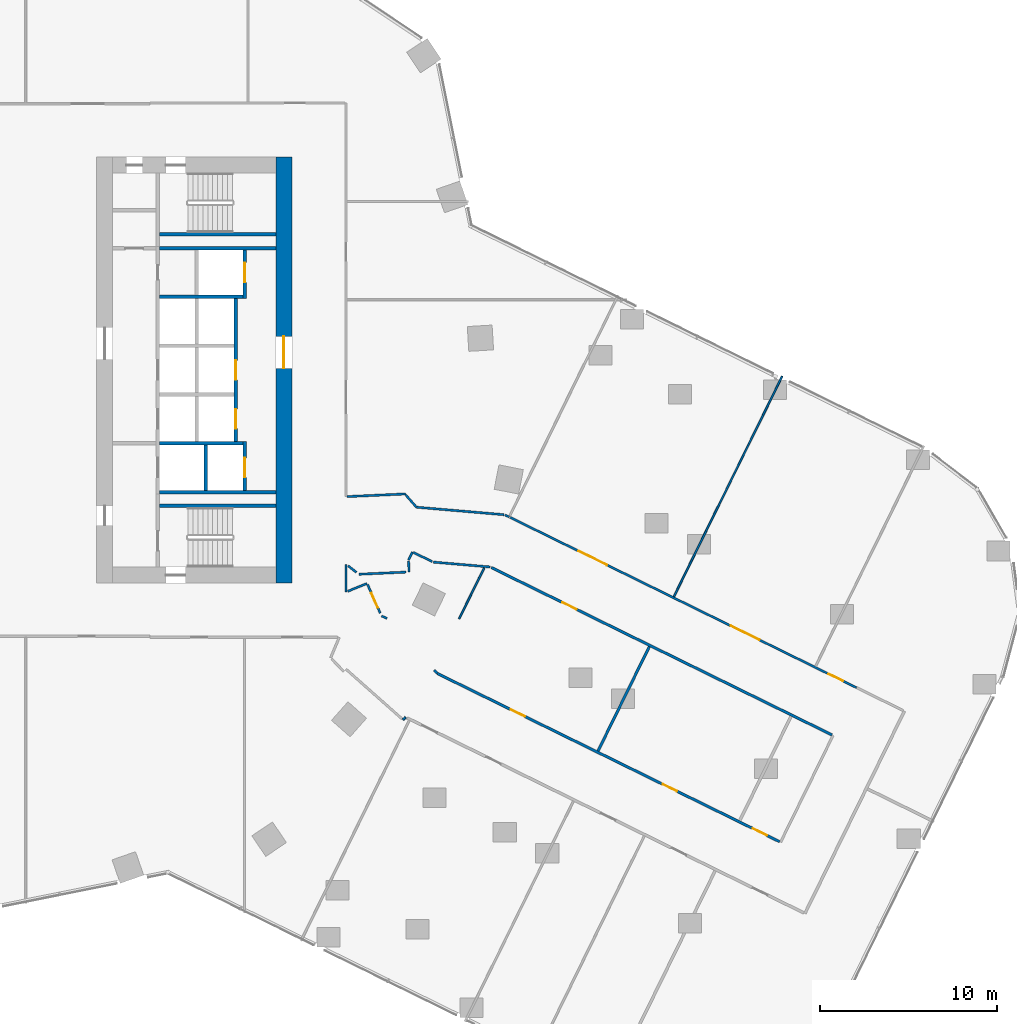
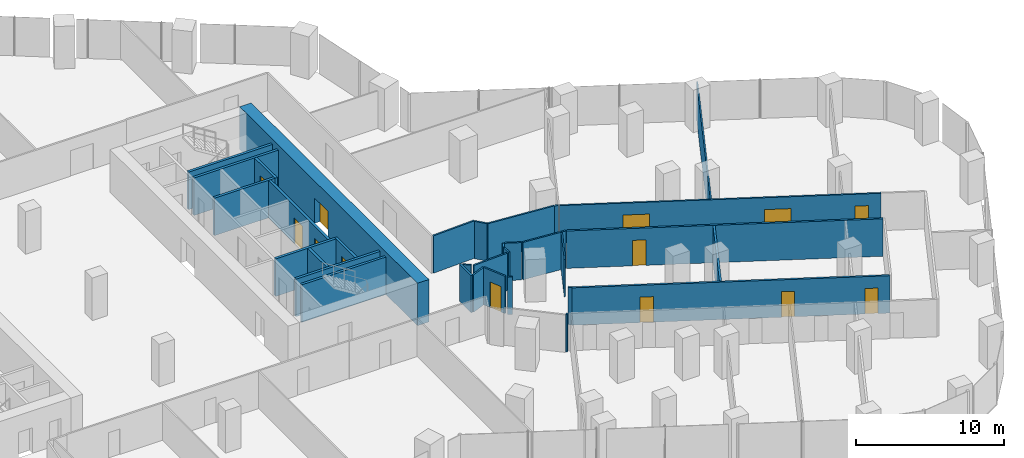
# One storey, part 30 of 38: 33 walls, 13 doors, 13 openings.
"""IFC4 building model written with IfcOpenShell, lengths in metres."""

from ifc_helpers import new_model, si_unit, direction, frame, frame_2d, origin, place, context, subcontext, project, spatial, rectangle, extrude, material, layer, layer_set, type_object, element, fill, save


model = new_model("IFC4")

# Units and contexts
model_context = context("Model", 3, precision=1e-05, world=origin(), true_north=direction((0.0, 1.0)))
body_context = subcontext(model_context, "Body", "Model", "MODEL_VIEW")
ifc_project = project(units=[si_unit("LENGTHUNIT", "METRE"), si_unit("AREAUNIT", "SQUARE_METRE"), si_unit("VOLUMEUNIT", "CUBIC_METRE"), si_unit("PLANEANGLEUNIT", "RADIAN"), si_unit("MASSUNIT", "GRAM", prefix="KILO")], contexts=[model_context])

# Site, building, storey
site_placement = place(None, origin())
site = spatial("IfcSite", under=ifc_project, at=site_placement, CompositionType="ELEMENT")
building_placement = place(site_placement, origin())
building = spatial("IfcBuilding", under=site, at=building_placement, Name="Orlundy Tower", CompositionType="ELEMENT")
storey_placement = place(building_placement, frame((0.0, 0.0, 62.300048828125)))
storey = spatial("IfcBuildingStorey", under=building, at=storey_placement, Name="L14", CompositionType="ELEMENT", Elevation=62.300048828125)

# Wall, opening, door
ifc_material_1 = material(Name="Concrete C80/95", Category="concrete")
ifc_layer_1 = layer(ifc_material_1, 0.89990234375)
ifc_layer_set_1 = layer_set([ifc_layer_1], Name="CORE WALL 900 C80/95")
wall_type_1 = type_object("IfcWallType", Name="CORE WALL 900 C80/95", PredefinedType="SHEAR", material=ifc_layer_set_1)
wall_1_placement = place(storey_placement, frame((18.550048828125, -12.0, 0.0), z_axis=(0.0, 0.0, 1.0), x_axis=(0.0, 1.0, 0.0)))
wall_1 = element("IfcWall", 1, at=wall_1_placement, inside=storey, type_object=wall_type_1, Name="Core wall E-E L14", PredefinedType="SHEAR", context=body_context, shape_type="SweptSolid", body=[
    extrude(rectangle(XDim=24.0, YDim=0.89990234375, at=frame_2d((12.0, 0.0))), origin(), (0.0, 0.0, 1.0), 3.5),
])
opening_1_placement = place(wall_1_placement, frame((12.10009765625, 0.0, 0.0)))
opening_1 = element("IfcOpeningElement", 2, at=opening_1_placement, cuts=wall_1, Name="Opening 13059", PredefinedType="OPENING", context=body_context, shape_type="SweptSolid", body=[
    extrude(rectangle(XDim=1.800048828125, YDim=2.10009765625, at=frame_2d((0.89990234375, 1.050048828125))), frame((0.0, 0.4599609375, 0.0), z_axis=(0.0, -1.0, 0.0), x_axis=(1.0, 0.0, 0.0)), (0.0, 0.0, 1.0), 0.919921875),
])
ifc_material_2 = material(Name="Timber door set", Category="wood")
door_type_1 = type_object("IfcDoorType", Name="Lobby Door 1800x2100", OperationType="DOUBLE_DOOR_DOUBLE_SWING", PredefinedType="DOOR", material=ifc_material_2)
door_1_placement = place(opening_1_placement, origin())
door_1 = element("IfcDoor", 3, at=door_1_placement, inside=storey, type_object=door_type_1, Name="Lift lobby door 13059", OperationType="SINGLE_SWING_RIGHT", OverallHeight=2.10009765625, OverallWidth=1.800048828125, PredefinedType="DOOR", context=body_context, shape_type="SweptSolid", body=[
    extrude(rectangle(XDim=1.800048828125, YDim=2.10009765625, at=frame_2d((0.89990234375, 1.050048828125))), frame((0.0, 0.02490234375, 0.0), z_axis=(0.0, -1.0, 0.0), x_axis=(1.0, 0.0, 0.0)), (0.0, 0.0, 1.0), 0.050048828125),
])
fill(opening_1, door_1)

# Walls
ifc_material_3 = material(Name="Gypsum board partition")
ifc_layer_2 = layer(ifc_material_3, 0.10009765625)
ifc_layer_set_2 = layer_set([ifc_layer_2], Name="Floor partition 100")
wall_type_2 = type_object("IfcWallType", Name="Floor partition 100", PredefinedType="PARTITIONING", material=ifc_layer_set_2)
wall_2_placement = place(storey_placement, frame((40.52392578125, -12.764892578125, 0.0), z_axis=(0.0, 0.0, 1.0), x_axis=(0.441020089077, 0.897497231768, 0.0)))
element("IfcWall", 4, at=wall_2_placement, inside=storey, type_object=wall_type_2, Name="wall-int-L14-073", PredefinedType="PARTITIONING", context=body_context, shape_type="SweptSolid", body=[
    extrude(rectangle(XDim=13.836181640625, YDim=0.10009765625, at=frame_2d((6.91796875, 0.0))), origin(), (0.0, 0.0, 1.0), 3.079833984375),
])
wall_3_placement = place(storey_placement, frame((28.426025390625, -14.014892578125, 0.0), z_axis=(0.0, 0.0, 1.0), x_axis=(0.441062549099, 0.897476366141, 0.0)))
element("IfcWall", 5, at=wall_3_placement, inside=storey, type_object=wall_type_2, Name="wall-int-L14-075", PredefinedType="PARTITIONING", context=body_context, shape_type="SweptSolid", body=[
    extrude(rectangle(XDim=3.196533203125, YDim=0.10009765625, at=frame_2d((1.59814453125, 0.0))), origin(), (0.0, 0.0, 1.0), 3.079833984375),
])
ifc_material_4 = material(Name="Gypsum board partition, double layer")
ifc_layer_3 = layer(ifc_material_4, 0.125)
ifc_layer_set_3 = layer_set([ifc_layer_3], Name="Floor partition 125")
wall_type_3 = type_object("IfcWallType", Name="Floor partition 125", PredefinedType="PARTITIONING", material=ifc_layer_set_3)
wall_4_placement = place(storey_placement, frame((25.4189453125, -7.0400390625, 0.0), z_axis=(0.0, 0.0, 1.0), x_axis=(0.659602225804, -0.751614863953, 0.0)))
element("IfcWall", 6, at=wall_4_placement, inside=storey, type_object=wall_type_3, Name="wall-int-L14-001", PredefinedType="PARTITIONING", context=body_context, shape_type="SweptSolid", body=[
    extrude(rectangle(XDim=0.912841796875, YDim=0.125, at=frame_2d((0.45654296875, 0.0))), origin(), (0.0, 0.0, 1.0), 3.079833984375),
])
wall_5_placement = place(storey_placement, frame((25.574951171875, -10.760986328125, 0.0), z_axis=(0.0, 0.0, 1.0), x_axis=(0.048925805308, -0.998802415683, 0.0)))
element("IfcWall", 7, at=wall_5_placement, inside=storey, type_object=wall_type_3, Name="wall-int-L14-002", PredefinedType="PARTITIONING", context=body_context, shape_type="SweptSolid", body=[
    extrude(rectangle(XDim=0.61376953125, YDim=0.125, at=frame_2d((0.306884765625, 0.0))), origin(), (0.0, 0.0, 1.0), 3.079833984375),
])

# Wall, opening, door
wall_6_placement = place(storey_placement, frame((23.260009765625, -12.075927734375, 0.0), z_axis=(0.0, 0.0, 1.0), x_axis=(0.40604891487, -0.913851343892, 0.0)))
wall_6 = element("IfcWall", 8, at=wall_6_placement, inside=storey, type_object=wall_type_3, Name="wall-int-L14-003", PredefinedType="PARTITIONING", context=body_context, shape_type="SweptSolid", body=[
    extrude(rectangle(XDim=1.770751953125, YDim=0.125, at=frame_2d((0.88525390625, 0.0))), origin(), (0.0, 0.0, 1.0), 3.079833984375),
])
opening_2_placement = place(wall_6_placement, frame((0.53759765625, 0.0, 0.0)))
opening_2 = element("IfcOpeningElement", 9, at=opening_2_placement, cuts=wall_6, Name="Opening 13132", PredefinedType="OPENING", context=body_context, shape_type="SweptSolid", body=[
    extrude(rectangle(XDim=0.89990234375, YDim=2.10009765625, at=frame_2d((0.449951171875, 1.050048828125))), frame((0.0, 0.072509765625, 0.0), z_axis=(0.0, -1.0, 0.0), x_axis=(1.0, 0.0, 0.0)), (0.0, 0.0, 1.0), 0.14501953125),
])
ifc_material_5 = material(Name="Timber door leaf", Category="wood")
door_type_2 = type_object("IfcDoorType", Name="Floor door single 900 FD30S", OperationType="NOTDEFINED", PredefinedType="DOOR", material=ifc_material_5)
door_2_placement = place(opening_2_placement, origin())
door_2 = element("IfcDoor", 10, at=door_2_placement, inside=storey, type_object=door_type_2, Name="Door 13132", OperationType="SINGLE_SWING_RIGHT", OverallHeight=2.10009765625, OverallWidth=0.89990234375, PredefinedType="DOOR", context=body_context, shape_type="SweptSolid", body=[
    extrude(rectangle(XDim=0.89990234375, YDim=2.10009765625, at=frame_2d((0.449951171875, 1.050048828125))), frame((0.0, 0.02490234375, 0.0), z_axis=(0.0, -1.0, 0.0), x_axis=(1.0, 0.0, 0.0)), (0.0, 0.0, 1.0), 0.050048828125),
])
fill(opening_2, door_2)

# Walls
wall_7_placement = place(storey_placement, frame((27.009033203125, -16.89892578125, 0.0), z_axis=(0.0, 0.0, 1.0), x_axis=(0.695952213436, -0.718088098087, 0.0)))
element("IfcWall", 11, at=wall_7_placement, inside=storey, type_object=wall_type_3, Name="wall-int-L14-005", PredefinedType="PARTITIONING", context=body_context, shape_type="SweptSolid", body=[
    extrude(rectangle(XDim=0.275634765625, YDim=0.125, at=frame_2d((0.1376953125, 0.0))), origin(), (0.0, 0.0, 1.0), 3.079833984375),
])
wall_8_placement = place(storey_placement, frame((22.1689453125, -11.028076171875, 0.0), z_axis=(0.0, 0.0, 1.0), x_axis=(0.78486193531, -0.619670672617, 0.0)))
element("IfcWall", 12, at=wall_8_placement, inside=storey, type_object=wall_type_3, Name="wall-int-L14-023", PredefinedType="PARTITIONING", context=body_context, shape_type="SweptSolid", body=[
    extrude(rectangle(XDim=0.60009765625, YDim=0.125, at=frame_2d((0.300048828125, 0.0))), origin(), (0.0, 0.0, 1.0), 3.079833984375),
])

# Wall, openings, doors
wall_9_placement = place(storey_placement, frame((31.291015625, -8.298095703125, 0.0), z_axis=(0.0, 0.0, 1.0), x_axis=(0.897505006542, -0.441004266683, 0.0)))
wall_9 = element("IfcWall", 13, at=wall_9_placement, inside=storey, type_object=wall_type_3, Name="wall-int-L14-028", PredefinedType="PARTITIONING", context=body_context, shape_type="SweptSolid", body=[
    extrude(rectangle(XDim=21.757080078125, YDim=0.125, at=frame_2d((10.87841796875, 0.0))), origin(), (0.0, 0.0, 1.0), 3.079833984375),
])
opening_3_placement = place(wall_9_placement, frame((4.300048828125, 0.0, 0.0)))
opening_3 = element("IfcOpeningElement", 14, at=opening_3_placement, cuts=wall_9, Name="Opening 13100", PredefinedType="OPENING", context=body_context, shape_type="SweptSolid", body=[
    extrude(rectangle(XDim=1.800048828125, YDim=2.10009765625, at=frame_2d((0.89990234375, 1.050048828125))), frame((0.0, 0.072509765625, 0.0), z_axis=(0.0, -1.0, 0.0), x_axis=(1.0, 0.0, 0.0)), (0.0, 0.0, 1.0), 0.14501953125),
])
opening_4_placement = place(wall_9_placement, frame((13.856201171875, 0.0, 0.0)))
opening_4 = element("IfcOpeningElement", 15, at=opening_4_placement, cuts=wall_9, Name="Opening 13101", PredefinedType="OPENING", context=body_context, shape_type="SweptSolid", body=[
    extrude(rectangle(XDim=1.800048828125, YDim=2.10009765625, at=frame_2d((0.89990234375, 1.050048828125))), frame((0.0, 0.072509765625, 0.0), z_axis=(0.0, -1.0, 0.0), x_axis=(1.0, 0.0, 0.0)), (0.0, 0.0, 1.0), 0.14501953125),
])
opening_5_placement = place(wall_9_placement, frame((20.006591796875, 0.0, 0.0)))
opening_5 = element("IfcOpeningElement", 16, at=opening_5_placement, cuts=wall_9, Name="Opening 13106", PredefinedType="OPENING", context=body_context, shape_type="SweptSolid", body=[
    extrude(rectangle(XDim=0.89990234375, YDim=2.10009765625, at=frame_2d((0.449951171875, 1.050048828125))), frame((0.0, 0.072509765625, 0.0), z_axis=(0.0, -1.0, 0.0), x_axis=(1.0, 0.0, 0.0)), (0.0, 0.0, 1.0), 0.14501953125),
])
ifc_material_6 = material(Name="Timber door leaf", Category="wood")
door_type_3 = type_object("IfcDoorType", Name="Floor door double 1800 FD30S", OperationType="NOTDEFINED", PredefinedType="DOOR", material=ifc_material_6)
door_3_placement = place(opening_3_placement, origin())
door_3 = element("IfcDoor", 17, at=door_3_placement, inside=storey, type_object=door_type_3, Name="Door 13100", OperationType="DOUBLE_DOOR_SINGLE_SWING", OverallHeight=2.10009765625, OverallWidth=1.800048828125, PredefinedType="DOOR", context=body_context, shape_type="SweptSolid", body=[
    extrude(rectangle(XDim=1.800048828125, YDim=2.10009765625, at=frame_2d((0.89990234375, 1.050048828125))), frame((0.0, 0.02490234375, 0.0), z_axis=(0.0, -1.0, 0.0), x_axis=(1.0, 0.0, 0.0)), (0.0, 0.0, 1.0), 0.050048828125),
])
fill(opening_3, door_3)
door_4_placement = place(opening_4_placement, origin())
door_4 = element("IfcDoor", 18, at=door_4_placement, inside=storey, type_object=door_type_3, Name="Door 13101", OperationType="DOUBLE_DOOR_SINGLE_SWING", OverallHeight=2.10009765625, OverallWidth=1.800048828125, PredefinedType="DOOR", context=body_context, shape_type="SweptSolid", body=[
    extrude(rectangle(XDim=1.800048828125, YDim=2.10009765625, at=frame_2d((0.89990234375, 1.050048828125))), frame((0.0, 0.02490234375, 0.0), z_axis=(0.0, -1.0, 0.0), x_axis=(1.0, 0.0, 0.0)), (0.0, 0.0, 1.0), 0.050048828125),
])
fill(opening_4, door_4)
door_5_placement = place(opening_5_placement, origin())
door_5 = element("IfcDoor", 19, at=door_5_placement, inside=storey, type_object=door_type_2, Name="Door 13106", OperationType="SINGLE_SWING_RIGHT", OverallHeight=2.10009765625, OverallWidth=0.89990234375, PredefinedType="DOOR", context=body_context, shape_type="SweptSolid", body=[
    extrude(rectangle(XDim=0.89990234375, YDim=2.10009765625, at=frame_2d((0.449951171875, 1.050048828125))), frame((0.0, 0.02490234375, 0.0), z_axis=(0.0, -1.0, 0.0), x_axis=(1.0, 0.0, 0.0)), (0.0, 0.0, 1.0), 0.050048828125),
])
fill(opening_5, door_5)

# Walls
wall_10_placement = place(storey_placement, frame((31.007080078125, -8.158935546875, 0.0), z_axis=(0.0, 0.0, 1.0), x_axis=(0.898247549427, -0.439489863305, 0.0)))
element("IfcWall", 20, at=wall_10_placement, inside=storey, type_object=wall_type_3, Name="wall-int-L14-030", PredefinedType="PARTITIONING", context=body_context, shape_type="SweptSolid", body=[
    extrude(rectangle(XDim=0.26611328125, YDim=0.125, at=frame_2d((0.133056640625, 0.0))), origin(), (0.0, 0.0, 1.0), 3.079833984375),
])
wall_11_placement = place(storey_placement, frame((24.048095703125, -13.85009765625, 0.0), z_axis=(0.0, 0.0, 1.0), x_axis=(0.900168222798, -0.43554238676, 0.0)))
element("IfcWall", 21, at=wall_11_placement, inside=storey, type_object=wall_type_3, Name="wall-int-L14-031", PredefinedType="PARTITIONING", context=body_context, shape_type="SweptSolid", body=[
    extrude(rectangle(XDim=0.34423828125, YDim=0.125, at=frame_2d((0.172119140625, 0.0))), origin(), (0.0, 0.0, 1.0), 3.079833984375),
])
wall_12_placement = place(storey_placement, frame((25.844970703125, -10.27587890625, 0.0), z_axis=(0.0, 0.0, 1.0), x_axis=(0.900044500098, -0.435798001193, 0.0)))
element("IfcWall", 22, at=wall_12_placement, inside=storey, type_object=wall_type_3, Name="wall-int-L14-032", PredefinedType="PARTITIONING", context=body_context, shape_type="SweptSolid", body=[
    extrude(rectangle(XDim=1.184326171875, YDim=0.125, at=frame_2d((0.59228515625, 0.0))), origin(), (0.0, 0.0, 1.0), 3.079833984375),
])
wall_13_placement = place(storey_placement, frame((26.967041015625, -10.819091796875, 0.0), z_axis=(0.0, 0.0, 1.0), x_axis=(0.99634849222, -0.085379634874, 0.0)))
element("IfcWall", 23, at=wall_13_placement, inside=storey, type_object=wall_type_3, Name="wall-int-L14-038", PredefinedType="PARTITIONING", context=body_context, shape_type="SweptSolid", body=[
    extrude(rectangle(XDim=3.2197265625, YDim=0.125, at=frame_2d((1.60986328125, 0.0))), origin(), (0.0, 0.0, 1.0), 3.079833984375),
])
wall_14_placement = place(storey_placement, frame((26.02099609375, -7.72607421875, 0.0), z_axis=(0.0, 0.0, 1.0), x_axis=(0.996349284826, -0.085370384947, 0.0)))
element("IfcWall", 24, at=wall_14_placement, inside=storey, type_object=wall_type_3, Name="wall-int-L14-039", PredefinedType="PARTITIONING", context=body_context, shape_type="SweptSolid", body=[
    extrude(rectangle(XDim=4.953125, YDim=0.125, at=frame_2d((2.4765625, 0.0))), origin(), (0.0, 0.0, 1.0), 3.079833984375),
])
wall_15_placement = place(storey_placement, frame((22.77099609375, -11.50390625, 0.0), z_axis=(0.0, 0.0, 1.0), x_axis=(0.998960167468, 0.045591488373, 0.0)))
element("IfcWall", 25, at=wall_15_placement, inside=storey, type_object=wall_type_3, Name="wall-int-L14-053", PredefinedType="PARTITIONING", context=body_context, shape_type="SweptSolid", body=[
    extrude(rectangle(XDim=2.650634765625, YDim=0.125, at=frame_2d((1.3251953125, 0.0))), origin(), (0.0, 0.0, 1.0), 3.079833984375),
])
wall_16_placement = place(storey_placement, frame((22.113037109375, -7.1279296875, 0.0), z_axis=(0.0, 0.0, 1.0), x_axis=(0.998972341729, 0.045323950183, 0.0)))
element("IfcWall", 26, at=wall_16_placement, inside=storey, type_object=wall_type_3, Name="wall-int-L14-054", PredefinedType="PARTITIONING", context=body_context, shape_type="SweptSolid", body=[
    extrude(rectangle(XDim=3.307373046875, YDim=0.125, at=frame_2d((1.65380859375, 0.0))), origin(), (0.0, 0.0, 1.0), 3.079833984375),
])
wall_17_placement = place(storey_placement, frame((22.14697265625, -12.462890625, 0.0), z_axis=(0.0, 0.0, 1.0), x_axis=(0.926466577122, 0.376377046956, 0.0)))
element("IfcWall", 27, at=wall_17_placement, inside=storey, type_object=wall_type_3, Name="wall-int-L14-055", PredefinedType="PARTITIONING", context=body_context, shape_type="SweptSolid", body=[
    extrude(rectangle(XDim=1.16357421875, YDim=0.125, at=frame_2d((0.581787109375, 0.0))), origin(), (0.0, 0.0, 1.0), 3.079833984375),
])
wall_18_placement = place(storey_placement, frame((25.258056640625, -19.697021484375, 0.0), z_axis=(0.0, 0.0, 1.0), x_axis=(0.752059641436, 0.659095058184, 0.0)))
element("IfcWall", 28, at=wall_18_placement, inside=storey, type_object=wall_type_3, Name="wall-int-L14-057", PredefinedType="PARTITIONING", context=body_context, shape_type="SweptSolid", body=[
    extrude(rectangle(XDim=0.204833984375, YDim=0.125, at=frame_2d((0.1025390625, 0.0))), origin(), (0.0, 0.0, 1.0), 3.079833984375),
])
wall_19_placement = place(storey_placement, frame((25.572021484375, -10.698974609375, 0.0), z_axis=(0.0, 0.0, 1.0), x_axis=(0.434462039315, 0.900690144497, 0.0)))
element("IfcWall", 29, at=wall_19_placement, inside=storey, type_object=wall_type_3, Name="wall-int-L14-078", PredefinedType="PARTITIONING", context=body_context, shape_type="SweptSolid", body=[
    extrude(rectangle(XDim=0.49951171875, YDim=0.125, at=frame_2d((0.249755859375, 0.0))), origin(), (0.0, 0.0, 1.0), 3.079833984375),
])
wall_20_placement = place(storey_placement, frame((22.051025390625, -12.5, 0.0), z_axis=(0.0, 0.0, 1.0), x_axis=(0.0, 1.0, 0.0)))
element("IfcWall", 30, at=wall_20_placement, inside=storey, type_object=wall_type_3, Name="wall-int-L14-086", PredefinedType="PARTITIONING", context=body_context, shape_type="SweptSolid", body=[
    extrude(rectangle(XDim=1.55810546875, YDim=0.125, at=frame_2d((0.779052734375, 0.0))), origin(), (0.0, 0.0, 1.0), 3.079833984375),
])

# Wall, openings, doors
ifc_material_7 = material(Name="Blockwork shaft wall", Category="masonry")
ifc_layer_4 = layer(ifc_material_7, 0.14990234375)
ifc_layer_set_4 = layer_set([ifc_layer_4], Name="Floor shaft wall 150")
wall_type_4 = type_object("IfcWallType", Name="Floor shaft wall 150", PredefinedType="PARTITIONING", material=ifc_layer_set_4)
wall_21_placement = place(storey_placement, frame((27.200927734375, -17.096923828125, 0.0), z_axis=(0.0, 0.0, 1.0), x_axis=(0.897485674031, -0.441043608853, 0.0)))
wall_21 = element("IfcWall", 31, at=wall_21_placement, inside=storey, type_object=wall_type_4, Name="wall-int-L14-025", PredefinedType="PARTITIONING", context=body_context, shape_type="SweptSolid", body=[
    extrude(rectangle(XDim=21.4833984375, YDim=0.14990234375, at=frame_2d((10.74169921875, 0.0))), origin(), (0.0, 0.0, 1.0), 3.079833984375),
])
opening_6_placement = place(wall_21_placement, frame((4.60009765625, 0.0, 0.0)))
opening_6 = element("IfcOpeningElement", 32, at=opening_6_placement, cuts=wall_21, Name="Opening 13102", PredefinedType="OPENING", context=body_context, shape_type="SweptSolid", body=[
    extrude(rectangle(XDim=0.89990234375, YDim=2.10009765625, at=frame_2d((0.449951171875, 1.050048828125))), frame((0.0, 0.0849609375, 0.0), z_axis=(0.0, -1.0, 0.0), x_axis=(1.0, 0.0, 0.0)), (0.0, 0.0, 1.0), 0.169921875),
])
opening_7_placement = place(wall_21_placement, frame((14.14697265625, 0.0, 0.0)))
opening_7 = element("IfcOpeningElement", 33, at=opening_7_placement, cuts=wall_21, Name="Opening 13104", PredefinedType="OPENING", context=body_context, shape_type="SweptSolid", body=[
    extrude(rectangle(XDim=0.89990234375, YDim=2.10009765625, at=frame_2d((0.449951171875, 1.050048828125))), frame((0.0, 0.0849609375, 0.0), z_axis=(0.0, -1.0, 0.0), x_axis=(1.0, 0.0, 0.0)), (0.0, 0.0, 1.0), 0.169921875),
])
opening_8_placement = place(wall_21_placement, frame((19.797119140625, 0.0, 0.0)))
opening_8 = element("IfcOpeningElement", 34, at=opening_8_placement, cuts=wall_21, Name="Opening 13105", PredefinedType="OPENING", context=body_context, shape_type="SweptSolid", body=[
    extrude(rectangle(XDim=0.89990234375, YDim=2.10009765625, at=frame_2d((0.449951171875, 1.050048828125))), frame((0.0, 0.0849609375, 0.0), z_axis=(0.0, -1.0, 0.0), x_axis=(1.0, 0.0, 0.0)), (0.0, 0.0, 1.0), 0.169921875),
])
ifc_material_8 = material(Name="Timber door leaf", Category="wood")
door_type_4 = type_object("IfcDoorType", Name="Floor door single 900 FD60", OperationType="NOTDEFINED", PredefinedType="DOOR", material=ifc_material_8)
door_6_placement = place(opening_6_placement, origin())
door_6 = element("IfcDoor", 35, at=door_6_placement, inside=storey, type_object=door_type_4, Name="Door 13102", OperationType="SINGLE_SWING_LEFT", OverallHeight=2.10009765625, OverallWidth=0.89990234375, PredefinedType="DOOR", context=body_context, shape_type="SweptSolid", body=[
    extrude(rectangle(XDim=0.89990234375, YDim=2.10009765625, at=frame_2d((0.449951171875, 1.050048828125))), frame((0.0, 0.02490234375, 0.0), z_axis=(0.0, -1.0, 0.0), x_axis=(1.0, 0.0, 0.0)), (0.0, 0.0, 1.0), 0.050048828125),
])
fill(opening_6, door_6)
door_7_placement = place(opening_7_placement, origin())
door_7 = element("IfcDoor", 36, at=door_7_placement, inside=storey, type_object=door_type_4, Name="Door 13104", OperationType="SINGLE_SWING_RIGHT", OverallHeight=2.10009765625, OverallWidth=0.89990234375, PredefinedType="DOOR", context=body_context, shape_type="SweptSolid", body=[
    extrude(rectangle(XDim=0.89990234375, YDim=2.10009765625, at=frame_2d((0.449951171875, 1.050048828125))), frame((0.0, 0.02490234375, 0.0), z_axis=(0.0, -1.0, 0.0), x_axis=(1.0, 0.0, 0.0)), (0.0, 0.0, 1.0), 0.050048828125),
])
fill(opening_7, door_7)
door_8_placement = place(opening_8_placement, origin())
door_8 = element("IfcDoor", 37, at=door_8_placement, inside=storey, type_object=door_type_4, Name="Door 13105", OperationType="SINGLE_SWING_RIGHT", OverallHeight=2.10009765625, OverallWidth=0.89990234375, PredefinedType="DOOR", context=body_context, shape_type="SweptSolid", body=[
    extrude(rectangle(XDim=0.89990234375, YDim=2.10009765625, at=frame_2d((0.449951171875, 1.050048828125))), frame((0.0, 0.02490234375, 0.0), z_axis=(0.0, -1.0, 0.0), x_axis=(1.0, 0.0, 0.0)), (0.0, 0.0, 1.0), 0.050048828125),
])
fill(opening_8, door_8)

# Wall, opening, door
wall_22_placement = place(storey_placement, frame((49.43798828125, -20.55908203125, 0.0), z_axis=(0.0, 0.0, 1.0), x_axis=(-0.897517730631, 0.440978370447, 0.0)))
wall_22 = element("IfcWall", 38, at=wall_22_placement, inside=storey, type_object=wall_type_4, Name="wall-int-L14-027", PredefinedType="PARTITIONING", context=body_context, shape_type="SweptSolid", body=[
    extrude(rectangle(XDim=21.400146484375, YDim=0.14990234375, at=frame_2d((10.7001953125, 0.0))), origin(), (0.0, 0.0, 1.0), 3.079833984375),
])
opening_9_placement = place(wall_22_placement, frame((16.037353515625, 0.0, 0.0)))
opening_9 = element("IfcOpeningElement", 39, at=opening_9_placement, cuts=wall_22, Name="Opening 13103", PredefinedType="OPENING", context=body_context, shape_type="SweptSolid", body=[
    extrude(rectangle(XDim=0.89990234375, YDim=2.10009765625, at=frame_2d((0.449951171875, 1.050048828125))), frame((0.0, 0.0849609375, 0.0), z_axis=(0.0, -1.0, 0.0), x_axis=(1.0, 0.0, 0.0)), (0.0, 0.0, 1.0), 0.169921875),
])
door_9_placement = place(opening_9_placement, origin())
door_9 = element("IfcDoor", 40, at=door_9_placement, inside=storey, type_object=door_type_4, Name="Door 13103", OperationType="SINGLE_SWING_RIGHT", OverallHeight=2.10009765625, OverallWidth=0.89990234375, PredefinedType="DOOR", context=body_context, shape_type="SweptSolid", body=[
    extrude(rectangle(XDim=0.89990234375, YDim=2.10009765625, at=frame_2d((0.449951171875, 1.050048828125))), frame((0.0, 0.02490234375, 0.0), z_axis=(0.0, -1.0, 0.0), x_axis=(1.0, 0.0, 0.0)), (0.0, 0.0, 1.0), 0.050048828125),
])
fill(opening_9, door_9)

# Walls
wall_23_placement = place(storey_placement, frame((36.2509765625, -21.4609375, 0.0), z_axis=(0.0, 0.0, 1.0), x_axis=(0.44103082672, 0.89749195533, 0.0)))
element("IfcWall", 41, at=wall_23_placement, inside=storey, type_object=wall_type_4, Name="wall-int-L14-072", PredefinedType="PARTITIONING", context=body_context, shape_type="SweptSolid", body=[
    extrude(rectangle(XDim=6.55029296875, YDim=0.14990234375, at=frame_2d((3.275146484375, 0.0))), origin(), (0.0, 0.0, 1.0), 3.079833984375),
])
ifc_material_9 = material(Name="Concrete C40/50", Category="concrete")
ifc_layer_5 = layer(ifc_material_9, 0.199951171875)
ifc_layer_set_5 = layer_set([ifc_layer_5], Name="Load-bearing Shaft Wall 200")
wall_type_5 = type_object("IfcWallType", Name="Load-bearing Shaft Wall 200", PredefinedType="SOLIDWALL", material=ifc_layer_set_5)
for number, where, z_axis, x_axis, name in (
    (42, (11.5400390625, -7.64990234375, 0.0), (0.0, 0.0, 1.0), (1.0, 0.0, 0.0), "Shaft wall E13-stair-side-n"),
    (43, (11.5400390625, 7.64990234375, 0.0), (0.0, 0.0, 1.0), (1.0, 0.0, 0.0), "Shaft wall E13-stair-side-s"),
):
    element("IfcWall", number, at=place(storey_placement, frame(where, z_axis=z_axis, x_axis=x_axis)), inside=storey, type_object=wall_type_5, Name=name, PredefinedType="SOLIDWALL", context=body_context, shape_type="SweptSolid", body=[
        extrude(rectangle(XDim=6.56005859375, YDim=0.199951171875, at=frame_2d((3.280029296875, 0.0))), origin(), (0.0, 0.0, 1.0), 3.08984375),
    ])
ifc_material_10 = material(Name="Fire-rated blockwork shaft wall", Category="masonry")
ifc_layer_6 = layer(ifc_material_10, 0.199951171875)
ifc_layer_set_6 = layer_set([ifc_layer_6], Name="Shaft Wall 200")
wall_type_6 = type_object("IfcWallType", Name="Shaft Wall 200", PredefinedType="SOLIDWALL", material=ifc_layer_set_6)
for number, where, z_axis, x_axis, name in (
    (44, (11.5400390625, -6.875, 0.0), (0.0, 0.0, 1.0), (1.0, 0.0, 0.0), "Shaft wall E13-zone-n"),
    (45, (11.5400390625, 6.875, 0.0), (0.0, 0.0, 1.0), (1.0, 0.0, 0.0), "Shaft wall E13-zone-s"),
):
    element("IfcWall", number, at=place(storey_placement, frame(where, z_axis=z_axis, x_axis=x_axis)), inside=storey, type_object=wall_type_6, Name=name, PredefinedType="SOLIDWALL", context=body_context, shape_type="SweptSolid", body=[
        extrude(rectangle(XDim=6.56005859375, YDim=0.199951171875, at=frame_2d((3.280029296875, 0.0))), origin(), (0.0, 0.0, 1.0), 3.08984375),
    ])
for number, where, z_axis, x_axis, name in (
    (46, (11.5400390625, 4.125, 0.0), (0.0, 0.0, 1.0), (1.0, 0.0, 0.0), "Shaft wall E13-cross-4.125"),
    (47, (11.5400390625, -4.125, 0.0), (0.0, 0.0, 1.0), (1.0, 0.0, 0.0), "Shaft wall E13-cross+4.125"),
):
    element("IfcWall", number, at=place(storey_placement, frame(where, z_axis=z_axis, x_axis=x_axis)), inside=storey, type_object=wall_type_6, Name=name, PredefinedType="SOLIDWALL", context=body_context, shape_type="SweptSolid", body=[
        extrude(rectangle(XDim=4.699951171875, YDim=0.199951171875, at=frame_2d((2.35009765625, 0.0))), origin(), (0.0, 0.0, 1.0), 3.08984375),
    ])
wall_24_placement = place(storey_placement, frame((14.139892578125, -4.22509765625, 0.0), z_axis=(0.0, 0.0, 1.0), x_axis=(0.0, -1.0, 0.0)))
element("IfcWall", 48, at=wall_24_placement, inside=storey, type_object=wall_type_6, Name="Shaft wall E13-mid-b", PredefinedType="SOLIDWALL", context=body_context, shape_type="SweptSolid", body=[
    extrude(rectangle(XDim=2.5498046875, YDim=0.199951171875, at=frame_2d((1.27490234375, 0.0))), origin(), (0.0, 0.0, 1.0), 3.08984375),
])

# Wall, opening, door
wall_25_placement = place(storey_placement, frame((16.340087890625, 6.77490234375, 0.0), z_axis=(0.0, 0.0, 1.0), x_axis=(0.0, -1.0, 0.0)))
wall_25 = element("IfcWall", 49, at=wall_25_placement, inside=storey, type_object=wall_type_6, Name="Shaft wall E13-front-o-a", PredefinedType="SOLIDWALL", context=body_context, shape_type="SweptSolid", body=[
    extrude(rectangle(XDim=2.75, YDim=0.199951171875, at=frame_2d((1.375, 0.0))), origin(), (0.0, 0.0, 1.0), 3.08984375),
])
opening_10_placement = place(wall_25_placement, frame((0.72509765625, 0.0, 0.0)))
opening_10 = element("IfcOpeningElement", 50, at=opening_10_placement, cuts=wall_25, Name="Opening 13050", PredefinedType="OPENING", context=body_context, shape_type="SweptSolid", body=[
    extrude(rectangle(XDim=1.10009765625, YDim=2.10009765625, at=frame_2d((0.550048828125, 1.050048828125))), frame((0.0, 0.110107421875, 0.0), z_axis=(0.0, -1.0, 0.0), x_axis=(1.0, 0.0, 0.0)), (0.0, 0.0, 1.0), 0.22021484375),
])
ifc_material_11 = material(Name="Steel door set", Category="steel")
door_type_5 = type_object("IfcDoorType", Name="Landing Door 1100x2100", OperationType="DOUBLE_DOOR_SLIDING", PredefinedType="DOOR", material=ifc_material_11)
door_10_placement = place(opening_10_placement, origin())
door_10 = element("IfcDoor", 51, at=door_10_placement, inside=storey, type_object=door_type_5, Name="Lift landing door LV-02 13050", OperationType="DOUBLE_DOOR_SLIDING", OverallHeight=2.10009765625, OverallWidth=1.10009765625, PredefinedType="DOOR", context=body_context, shape_type="SweptSolid", body=[
    extrude(rectangle(XDim=1.10009765625, YDim=2.10009765625, at=frame_2d((0.550048828125, 1.050048828125))), frame((0.0, 0.02490234375, 0.0), z_axis=(0.0, -1.0, 0.0), x_axis=(1.0, 0.0, 0.0)), (0.0, 0.0, 1.0), 0.050048828125),
])
fill(opening_10, door_10)

# Wall, openings, doors
wall_26_placement = place(storey_placement, frame((15.840087890625, 4.02490234375, 0.0), z_axis=(0.0, 0.0, 1.0), x_axis=(0.0, -1.0, 0.0)))
wall_26 = element("IfcWall", 52, at=wall_26_placement, inside=storey, type_object=wall_type_6, Name="Shaft wall E13-front-o-b", PredefinedType="SOLIDWALL", context=body_context, shape_type="SweptSolid", body=[
    extrude(rectangle(XDim=8.0498046875, YDim=0.199951171875, at=frame_2d((4.02490234375, 0.0))), origin(), (0.0, 0.0, 1.0), 3.08984375),
])
opening_11_placement = place(wall_26_placement, frame((3.47509765625, 0.0, 0.0)))
opening_11 = element("IfcOpeningElement", 53, at=opening_11_placement, cuts=wall_26, Name="Opening 13052", PredefinedType="OPENING", context=body_context, shape_type="SweptSolid", body=[
    extrude(rectangle(XDim=1.10009765625, YDim=2.10009765625, at=frame_2d((0.550048828125, 1.050048828125))), frame((0.0, 0.110107421875, 0.0), z_axis=(0.0, -1.0, 0.0), x_axis=(1.0, 0.0, 0.0)), (0.0, 0.0, 1.0), 0.22021484375),
])
opening_12_placement = place(wall_26_placement, frame((6.22509765625, 0.0, 0.0)))
opening_12 = element("IfcOpeningElement", 54, at=opening_12_placement, cuts=wall_26, Name="Opening 13054", PredefinedType="OPENING", context=body_context, shape_type="SweptSolid", body=[
    extrude(rectangle(XDim=1.10009765625, YDim=2.10009765625, at=frame_2d((0.550048828125, 1.050048828125))), frame((0.0, 0.110107421875, 0.0), z_axis=(0.0, -1.0, 0.0), x_axis=(1.0, 0.0, 0.0)), (0.0, 0.0, 1.0), 0.22021484375),
])
door_11_placement = place(opening_11_placement, origin())
door_11 = element("IfcDoor", 55, at=door_11_placement, inside=storey, type_object=door_type_5, Name="Lift landing door LP-06 13052", OperationType="DOUBLE_DOOR_SLIDING", OverallHeight=2.10009765625, OverallWidth=1.10009765625, PredefinedType="DOOR", context=body_context, shape_type="SweptSolid", body=[
    extrude(rectangle(XDim=1.10009765625, YDim=2.10009765625, at=frame_2d((0.550048828125, 1.050048828125))), frame((0.0, 0.02490234375, 0.0), z_axis=(0.0, -1.0, 0.0), x_axis=(1.0, 0.0, 0.0)), (0.0, 0.0, 1.0), 0.050048828125),
])
fill(opening_11, door_11)
door_12_placement = place(opening_12_placement, origin())
door_12 = element("IfcDoor", 56, at=door_12_placement, inside=storey, type_object=door_type_5, Name="Lift landing door LP-08 13054", OperationType="DOUBLE_DOOR_SLIDING", OverallHeight=2.10009765625, OverallWidth=1.10009765625, PredefinedType="DOOR", context=body_context, shape_type="SweptSolid", body=[
    extrude(rectangle(XDim=1.10009765625, YDim=2.10009765625, at=frame_2d((0.550048828125, 1.050048828125))), frame((0.0, 0.02490234375, 0.0), z_axis=(0.0, -1.0, 0.0), x_axis=(1.0, 0.0, 0.0)), (0.0, 0.0, 1.0), 0.050048828125),
])
fill(opening_12, door_12)

# Wall, opening, door
wall_27_placement = place(storey_placement, frame((16.340087890625, -4.02490234375, 0.0), z_axis=(0.0, 0.0, 1.0), x_axis=(0.0, -1.0, 0.0)))
wall_27 = element("IfcWall", 57, at=wall_27_placement, inside=storey, type_object=wall_type_6, Name="Shaft wall E13-front-o-c", PredefinedType="SOLIDWALL", context=body_context, shape_type="SweptSolid", body=[
    extrude(rectangle(XDim=2.75, YDim=0.199951171875, at=frame_2d((1.375, 0.0))), origin(), (0.0, 0.0, 1.0), 3.08984375),
])
opening_13_placement = place(wall_27_placement, frame((0.925048828125, 0.0, 0.0)))
opening_13 = element("IfcOpeningElement", 58, at=opening_13_placement, cuts=wall_27, Name="Opening 13056", PredefinedType="OPENING", context=body_context, shape_type="SweptSolid", body=[
    extrude(rectangle(XDim=1.10009765625, YDim=2.10009765625, at=frame_2d((0.550048828125, 1.050048828125))), frame((0.0, 0.110107421875, 0.0), z_axis=(0.0, -1.0, 0.0), x_axis=(1.0, 0.0, 0.0)), (0.0, 0.0, 1.0), 0.22021484375),
])
door_13_placement = place(opening_13_placement, origin())
door_13 = element("IfcDoor", 59, at=door_13_placement, inside=storey, type_object=door_type_5, Name="Lift landing door LP-09 13056", OperationType="DOUBLE_DOOR_SLIDING", OverallHeight=2.10009765625, OverallWidth=1.10009765625, PredefinedType="DOOR", context=body_context, shape_type="SweptSolid", body=[
    extrude(rectangle(XDim=1.10009765625, YDim=2.10009765625, at=frame_2d((0.550048828125, 1.050048828125))), frame((0.0, 0.02490234375, 0.0), z_axis=(0.0, -1.0, 0.0), x_axis=(1.0, 0.0, 0.0)), (0.0, 0.0, 1.0), 0.050048828125),
])
fill(opening_13, door_13)

save(model, "model.ifc")
